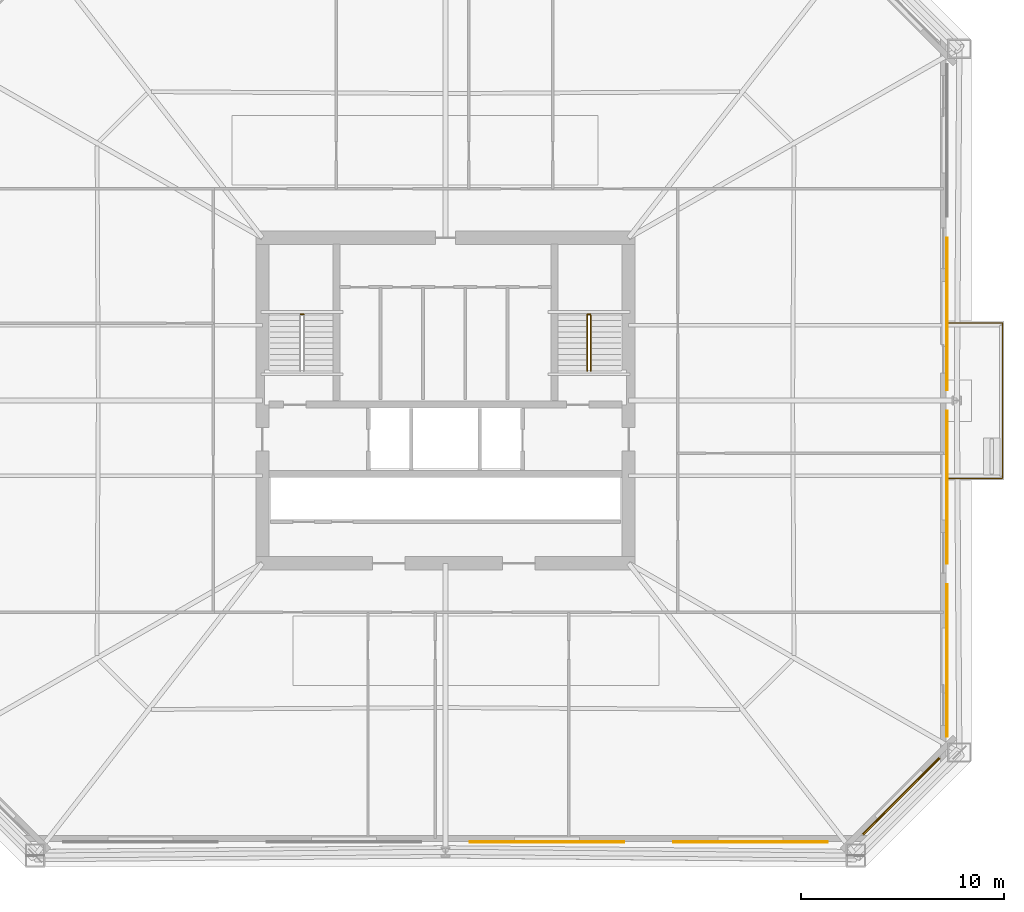
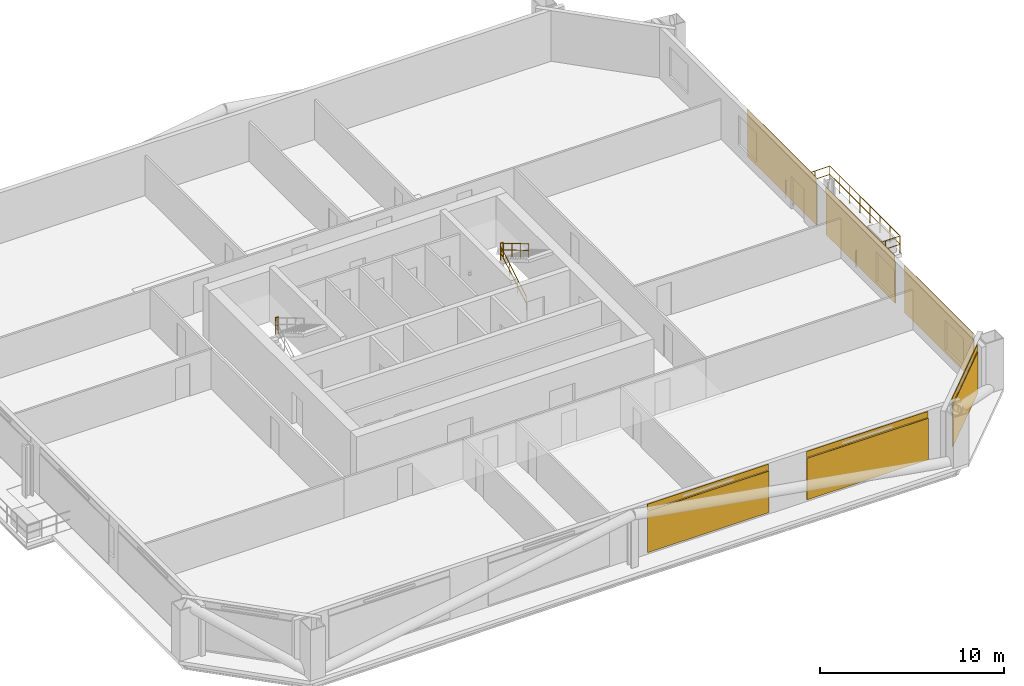
# One storey, part 9 of 10: 6 coverings, 6 shading devices, 5 railings.
"""IFC4 building model written with IfcOpenShell, lengths in metres."""

from ifc_helpers import new_model, si_unit, direction, frame, origin, origin_2d, place, context, subcontext, project, spatial, rectangle, circle, extrude, material, layer, layer_set, type_object, element, save


model = new_model("IFC4")

# Units and contexts
model_context = context("Model", 3, precision=1e-05, world=origin(), true_north=direction((0.0, 1.0)))
body_context = subcontext(model_context, "Body", "Model", "MODEL_VIEW")
ifc_project = project(units=[si_unit("LENGTHUNIT", "METRE"), si_unit("AREAUNIT", "SQUARE_METRE"), si_unit("VOLUMEUNIT", "CUBIC_METRE"), si_unit("PLANEANGLEUNIT", "RADIAN"), si_unit("MASSUNIT", "GRAM", prefix="KILO")], contexts=[model_context])

# Site, building, storey
site_placement = place(None, origin())
site = spatial("IfcSite", under=ifc_project, at=site_placement, CompositionType="ELEMENT")
building_placement = place(site_placement, origin())
building = spatial("IfcBuilding", under=site, at=building_placement, Name="Caelvoria Tower", CompositionType="ELEMENT")
storey_placement = place(building_placement, frame((0.0, 0.0, 60.39990234375)))
storey = spatial("IfcBuildingStorey", under=building, at=storey_placement, Name="L15", CompositionType="ELEMENT", Elevation=60.39990234375)

# Railing
ifc_material_1 = material(Name="Bronze Anodised Aluminium and Stainless Steel", Category="steel")
railing_type_1 = type_object("IfcRailingType", Name="Exterior Terrace and Balcony Guardrail 1150", PredefinedType="GUARDRAIL", material=ifc_material_1)
railing_1_placement = place(storey_placement, frame((70.610107421875, 28.179931640625, 0.0)))
element("IfcRailing", 1, at=railing_1_placement, inside=storey, type_object=railing_type_1, Name="Tree Balcony Guardrail TB-L15-E", PredefinedType="GUARDRAIL", context=body_context, shape_type="SweptSolid", body=[
    extrude(circle(Radius=0.02392578125, at=origin_2d()), frame((0.0, 0.0, 1.1259765625), z_axis=(1.0, 0.0, 0.0), x_axis=(0.0, 1.0, 0.0)), (0.0, 0.0, 1.0), 2.760009765625),
    extrude(circle(Radius=0.02392578125, at=origin_2d()), frame((0.0, 0.0, 0.574951171875), z_axis=(1.0, 0.0, 0.0), x_axis=(0.0, 1.0, 0.0)), (0.0, 0.0, 1.0), 2.760009765625),
    extrude(circle(Radius=0.02392578125, at=origin_2d()), frame((2.760009765625, 0.0, 1.1259765625), z_axis=(0.0, 1.0, 0.0), x_axis=(-1.0, 0.0, 0.0)), (0.0, 0.0, 1.0), 7.64013671875),
    extrude(circle(Radius=0.02392578125, at=origin_2d()), frame((2.760009765625, 0.0, 0.574951171875), z_axis=(0.0, 1.0, 0.0), x_axis=(-1.0, 0.0, 0.0)), (0.0, 0.0, 1.0), 7.64013671875),
    extrude(circle(Radius=0.02392578125, at=origin_2d()), frame((2.760009765625, 7.64013671875, 1.1259765625), z_axis=(-1.0, 0.0, 0.0), x_axis=(0.0, -1.0, 0.0)), (0.0, 0.0, 1.0), 2.760009765625),
    extrude(circle(Radius=0.02392578125, at=origin_2d()), frame((2.760009765625, 7.64013671875, 0.574951171875), z_axis=(-1.0, 0.0, 0.0), x_axis=(0.0, -1.0, 0.0)), (0.0, 0.0, 1.0), 2.760009765625),
    extrude(circle(Radius=0.02099609375, at=origin_2d()), origin(), (0.0, 0.0, 1.0), 1.101806640625),
    extrude(circle(Radius=0.02099609375, at=origin_2d()), frame((0.919921875, 0.0, 0.0)), (0.0, 0.0, 1.0), 1.101806640625),
    extrude(circle(Radius=0.02099609375, at=origin_2d()), frame((1.840087890625, 0.0, 0.0)), (0.0, 0.0, 1.0), 1.101806640625),
    extrude(circle(Radius=0.02099609375, at=origin_2d()), frame((2.760009765625, 0.0, 0.0)), (0.0, 0.0, 1.0), 1.101806640625),
    extrude(circle(Radius=0.02099609375, at=origin_2d()), frame((2.760009765625, 1.091552734375, 0.0)), (0.0, 0.0, 1.0), 1.101806640625),
    extrude(circle(Radius=0.02099609375, at=origin_2d()), frame((2.760009765625, 2.182861328125, 0.0)), (0.0, 0.0, 1.0), 1.101806640625),
    extrude(circle(Radius=0.02099609375, at=origin_2d()), frame((2.760009765625, 3.2744140625, 0.0)), (0.0, 0.0, 1.0), 1.101806640625),
    extrude(circle(Radius=0.02099609375, at=origin_2d()), frame((2.760009765625, 4.36572265625, 0.0)), (0.0, 0.0, 1.0), 1.101806640625),
    extrude(circle(Radius=0.02099609375, at=origin_2d()), frame((2.760009765625, 5.457275390625, 0.0)), (0.0, 0.0, 1.0), 1.101806640625),
    extrude(circle(Radius=0.02099609375, at=origin_2d()), frame((2.760009765625, 6.548583984375, 0.0)), (0.0, 0.0, 1.0), 1.101806640625),
    extrude(circle(Radius=0.02099609375, at=origin_2d()), frame((2.760009765625, 7.64013671875, 0.0)), (0.0, 0.0, 1.0), 1.101806640625),
    extrude(circle(Radius=0.02099609375, at=origin_2d()), frame((1.840087890625, 7.64013671875, 0.0)), (0.0, 0.0, 1.0), 1.101806640625),
    extrude(circle(Radius=0.02099609375, at=origin_2d()), frame((0.919921875, 7.64013671875, 0.0)), (0.0, 0.0, 1.0), 1.101806640625),
    extrude(circle(Radius=0.02099609375, at=origin_2d()), frame((0.0, 7.64013671875, 0.0)), (0.0, 0.0, 1.0), 1.101806640625),
])

# Coverings
ifc_material_2 = material(Name="Perforated Architectural Bronze Cladding Screen", Category="bronze")
ifc_layer_1 = layer(ifc_material_2, 0.0400390625, Name="Perforated Architectural Bronze Cladding Screen")
ifc_layer_set_1 = layer_set([ifc_layer_1], Name="Perforated Bronze Louvre Cladding Band 40 - Perforated Architectural Bronze Cladding Screen")
covering_type = type_object("IfcCoveringType", Name="Perforated Bronze Louvre Cladding Band 40", PredefinedType="CLADDING", material=ifc_layer_set_1)
for number, where, z_axis, x_axis, name in (
    (2, (50.99755859375, 10.327880859375, 2.940185546875), (0.0, 0.0, 1.0), (1.0, 0.0, 0.0), "Perforated Bronze Screen Band L15-E0-02"),
    (3, (60.992431640625, 10.327880859375, 2.940185546875), (0.0, 0.0, 1.0), (1.0, 0.0, 0.0), "Perforated Bronze Screen Band L15-E0-03"),
):
    element("IfcCovering", number, at=place(storey_placement, frame(where, z_axis=z_axis, x_axis=x_axis)), inside=storey, type_object=covering_type, Name=name, PredefinedType="CLADDING", context=body_context, shape_type="SweptSolid", body=[
        extrude(rectangle(XDim=7.60009765625, YDim=0.0400390625, at=origin_2d()), origin(), (0.0, 0.0, 1.0), 0.39990234375),
    ])
covering_placement = place(storey_placement, frame((68.381591796875, 12.568359375, 2.940185546875), z_axis=(0.0, 0.0, 1.0), x_axis=(0.707106781187, 0.707106781187, 0.0)))
element("IfcCovering", 4, at=covering_placement, inside=storey, type_object=covering_type, Name="Perforated Bronze Screen Band L15-E1-00", PredefinedType="CLADDING", context=body_context, shape_type="SweptSolid", body=[
    extrude(rectangle(XDim=5.309814453125, YDim=0.0400390625, at=origin_2d()), origin(), (0.0, 0.0, 1.0), 0.39990234375),
])
for number, where, z_axis, x_axis, name in (
    (5, (70.6220703125, 19.219970703125, 2.940185546875), (0.0, 0.0, 1.0), (0.0, 1.0, 0.0), "Perforated Bronze Screen Band L15-E2-00"),
    (6, (70.6220703125, 27.739990234375, 2.940185546875), (0.0, 0.0, 1.0), (0.0, 1.0, 0.0), "Perforated Bronze Screen Band L15-E2-01"),
    (7, (70.6220703125, 36.260009765625, 2.940185546875), (0.0, 0.0, 1.0), (0.0, 1.0, 0.0), "Perforated Bronze Screen Band L15-E2-02"),
):
    element("IfcCovering", number, at=place(storey_placement, frame(where, z_axis=z_axis, x_axis=x_axis)), inside=storey, type_object=covering_type, Name=name, PredefinedType="CLADDING", context=body_context, shape_type="SweptSolid", body=[
        extrude(rectangle(XDim=7.49755859375, YDim=0.0400390625, at=origin_2d()), origin(), (0.0, 0.0, 1.0), 0.39990234375),
    ])

# Shading devices
ifc_material_3 = material(Name="Perforated Architectural Bronze Alloy Panel", Category="bronze")
ifc_layer_2 = layer(ifc_material_3, 0.044921875, Name="Perforated Architectural Bronze Alloy Panel")
ifc_layer_set_2 = layer_set([ifc_layer_2], Name="Perforated Bronze Solar Screen Panel SCREEN - Perforated Architectural Bronze Alloy Panel")
shading_device_type = type_object("IfcShadingDeviceType", Name="Perforated Bronze Solar Screen Panel SCREEN", PredefinedType="USERDEFINED", material=ifc_layer_set_2)
for number, where, z_axis, x_axis, name in (
    (8, (50.99755859375, 10.284912109375, 0.16015625), (0.0, 0.0, 1.0), (1.0, 0.0, 0.0), "Perforated Bronze Solar Screen L15-E0-02"),
    (9, (60.992431640625, 10.284912109375, 0.16015625), (0.0, 0.0, 1.0), (1.0, 0.0, 0.0), "Perforated Bronze Solar Screen L15-E0-03"),
):
    element("IfcShadingDevice", number, at=place(storey_placement, frame(where, z_axis=z_axis, x_axis=x_axis)), inside=storey, type_object=shading_device_type, Name=name, ObjectType="SCREEN", PredefinedType="USERDEFINED", context=body_context, shape_type="SweptSolid", body=[
        extrude(rectangle(XDim=7.60009765625, YDim=0.044921875, at=origin_2d()), origin(), (0.0, 0.0, 1.0), 2.75),
    ])
shading_device_placement = place(storey_placement, frame((68.412109375, 12.537841796875, 0.16015625), z_axis=(0.0, 0.0, 1.0), x_axis=(0.707106781187, 0.707106781187, 0.0)))
element("IfcShadingDevice", 10, at=shading_device_placement, inside=storey, type_object=shading_device_type, Name="Perforated Bronze Solar Screen L15-E1-00", ObjectType="SCREEN", PredefinedType="USERDEFINED", context=body_context, shape_type="SweptSolid", body=[
    extrude(rectangle(XDim=5.309814453125, YDim=0.044921875, at=origin_2d()), origin(), (0.0, 0.0, 1.0), 2.75),
])
for number, where, z_axis, x_axis, name in (
    (11, (70.6650390625, 19.219970703125, 0.16015625), (0.0, 0.0, 1.0), (0.0, 1.0, 0.0), "Perforated Bronze Solar Screen L15-E2-00"),
    (12, (70.6650390625, 27.739990234375, 0.16015625), (0.0, 0.0, 1.0), (0.0, 1.0, 0.0), "Perforated Bronze Solar Screen L15-E2-01"),
    (13, (70.6650390625, 36.260009765625, 0.16015625), (0.0, 0.0, 1.0), (0.0, 1.0, 0.0), "Perforated Bronze Solar Screen L15-E2-02"),
):
    element("IfcShadingDevice", number, at=place(storey_placement, frame(where, z_axis=z_axis, x_axis=x_axis)), inside=storey, type_object=shading_device_type, Name=name, ObjectType="SCREEN", PredefinedType="USERDEFINED", context=body_context, shape_type="SweptSolid", body=[
        extrude(rectangle(XDim=7.49755859375, YDim=0.044921875, at=origin_2d()), origin(), (0.0, 0.0, 1.0), 2.75),
    ])

# Railings
ifc_material_4 = material(Name="Brushed Stainless Steel Tube", Category="steel")
railing_type_2 = type_object("IfcRailingType", Name="Stair Tubular Stainless Handrail 920", PredefinedType="HANDRAIL", material=ifc_material_4)
railing_2_placement = place(storey_placement, frame((52.969970703125, 33.449951171875, 0.163818359375)))
element("IfcRailing", 14, at=railing_2_placement, inside=storey, type_object=railing_type_2, Name="ST-02 Flight 1 Handrail L15", PredefinedType="HANDRAIL", context=body_context, shape_type="SweptSolid", body=[
    extrude(circle(Radius=0.02392578125, at=origin_2d()), frame((0.0, 0.0, 0.89599609375), z_axis=(0.0, 0.859385484447, 0.511328259656), x_axis=(-1.0, 0.0, 0.0)), (0.0, 0.0, 1.0), 3.199951171875),
    extrude(circle(Radius=0.02392578125, at=origin_2d()), frame((0.0, 0.0, 0.4599609375), z_axis=(0.0, 0.859385484447, 0.511328259656), x_axis=(-1.0, 0.0, 0.0)), (0.0, 0.0, 1.0), 3.199951171875),
    extrude(circle(Radius=0.02099609375, at=origin_2d()), origin(), (0.0, 0.0, 1.0), 0.871826171875),
    extrude(circle(Radius=0.02099609375, at=origin_2d()), frame((0.0, 0.916748046875, 0.54541015625)), (0.0, 0.0, 1.0), 0.871826171875),
    extrude(circle(Radius=0.02099609375, at=origin_2d()), frame((0.0, 1.833251953125, 1.0908203125)), (0.0, 0.0, 1.0), 0.871826171875),
    extrude(circle(Radius=0.02099609375, at=origin_2d()), frame((0.0, 2.75, 1.63623046875)), (0.0, 0.0, 1.0), 0.871826171875),
])
railing_3_placement = place(storey_placement, frame((53.1298828125, 36.199951171875, 1.963623046875)))
element("IfcRailing", 15, at=railing_3_placement, inside=storey, type_object=railing_type_2, Name="ST-02 Flight 2 Handrail L15", PredefinedType="HANDRAIL", context=body_context, shape_type="SweptSolid", body=[
    extrude(circle(Radius=0.02392578125, at=origin_2d()), frame((0.0, 0.0, 0.89599609375), z_axis=(0.0, -0.859351957796, 0.511384603436), x_axis=(1.0, 0.0, 0.0)), (0.0, 0.0, 1.0), 3.2001953125),
    extrude(circle(Radius=0.02392578125, at=origin_2d()), frame((0.0, 0.0, 0.4599609375), z_axis=(0.0, -0.859351957796, 0.511384603436), x_axis=(1.0, 0.0, 0.0)), (0.0, 0.0, 1.0), 3.2001953125),
    extrude(circle(Radius=0.02099609375, at=origin_2d()), origin(), (0.0, 0.0, 1.0), 0.871826171875),
    extrude(circle(Radius=0.02099609375, at=origin_2d()), frame((0.0, -0.916748046875, 0.54541015625)), (0.0, 0.0, 1.0), 0.871826171875),
    extrude(circle(Radius=0.02099609375, at=origin_2d()), frame((0.0, -1.833251953125, 1.091064453125)), (0.0, 0.0, 1.0), 0.871826171875),
    extrude(circle(Radius=0.02099609375, at=origin_2d()), frame((0.0, -2.75, 1.636474609375)), (0.0, 0.0, 1.0), 0.871826171875),
])
ifc_material_5 = material(Name="Brushed Stainless Steel Guardrail", Category="steel")
railing_type_3 = type_object("IfcRailingType", Name="Stair Well and Ramp Guardrail 1120", PredefinedType="GUARDRAIL", material=ifc_material_5)
for number, where, name in (
    (16, (38.8701171875, 36.239990234375, 1.800048828125), "ST-01 Half-Landing Well Guard L15"),
    (17, (52.969970703125, 36.239990234375, 1.800048828125), "ST-02 Half-Landing Well Guard L15"),
):
    element("IfcRailing", number, at=place(storey_placement, frame(where)), inside=storey, type_object=railing_type_3, Name=name, PredefinedType="GUARDRAIL", context=body_context, shape_type="SweptSolid", body=[
        extrude(circle(Radius=0.02392578125, at=origin_2d()), frame((0.0, 0.0, 1.09619140625), z_axis=(1.0, 0.0, 0.0), x_axis=(0.0, 1.0, 0.0)), (0.0, 0.0, 1.0), 0.159912109375),
        extrude(circle(Radius=0.02392578125, at=origin_2d()), frame((0.0, 0.0, 0.56005859375), z_axis=(1.0, 0.0, 0.0), x_axis=(0.0, 1.0, 0.0)), (0.0, 0.0, 1.0), 0.159912109375),
        extrude(circle(Radius=0.02099609375, at=origin_2d()), origin(), (0.0, 0.0, 1.0), 1.072021484375),
        extrude(circle(Radius=0.02099609375, at=origin_2d()), frame((0.159912109375, 0.0, 0.0)), (0.0, 0.0, 1.0), 1.072021484375),
    ])

save(model, "model.ifc")
